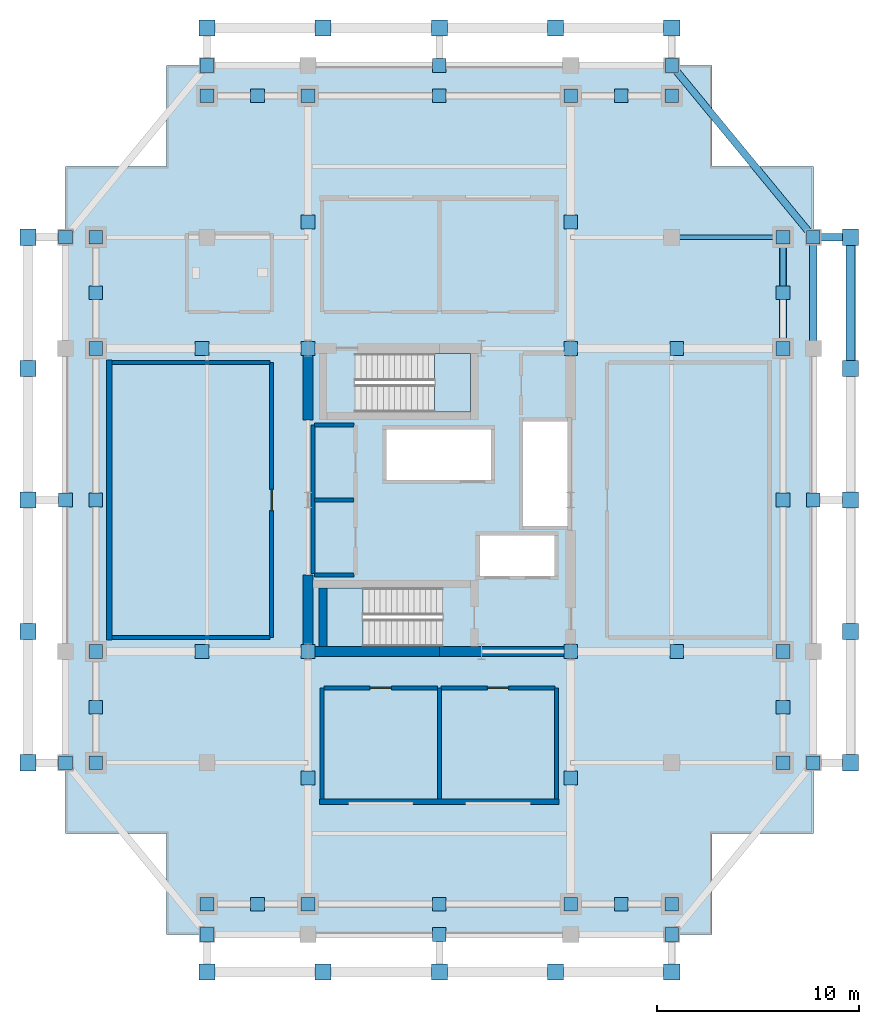
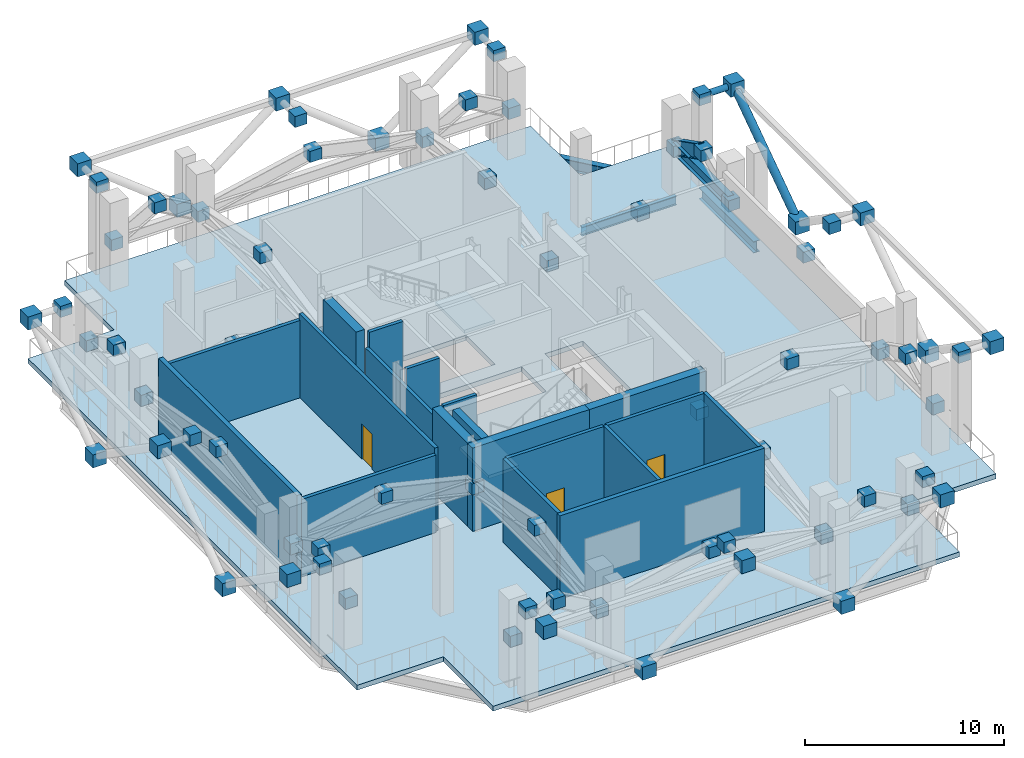
# One storey, part 3 of 9: 72 plates, 19 walls, 4 members, 3 beams, 3 doors, 3 slabs, 3 openings, 2 elements without a shape of their own.
"""IFC4 building model written with IfcOpenShell, lengths in metres."""

from ifc_helpers import new_model, si_unit, direction, frame, frame_2d, origin, origin_2d, place, context, subcontext, project, spatial, polyline, rectangle, hollow_circle, i_section, outline, extrude, material, layer, layer_set, material_profile, profile_set, type_object, element, fill, aggregate, save


model = new_model("IFC4")

# Units and contexts
model_context = context("Model", 3, precision=1e-05, world=origin(), true_north=direction((0.0, 1.0)))
body_context = subcontext(model_context, "Body", "Model", "MODEL_VIEW")
ifc_project = project(units=[si_unit("LENGTHUNIT", "METRE"), si_unit("AREAUNIT", "SQUARE_METRE"), si_unit("VOLUMEUNIT", "CUBIC_METRE"), si_unit("PLANEANGLEUNIT", "RADIAN"), si_unit("MASSUNIT", "GRAM", prefix="KILO")], contexts=[model_context])

# Site, building, storey
site_placement = place(None, origin())
site = spatial("IfcSite", under=ifc_project, at=site_placement, CompositionType="ELEMENT")
building_placement = place(site_placement, origin())
building = spatial("IfcBuilding", under=site, at=building_placement, Name="Barlavira Tower and Art Museum", CompositionType="ELEMENT")
storey_placement = place(building_placement, frame((0.0, 0.0, 212.39990234375)))
storey = spatial("IfcBuildingStorey", under=building, at=storey_placement, Name="L55", CompositionType="ELEMENT", Elevation=212.39990234375)

# Members
ifc_material_1 = material(Name="Steel S355", Category="steel")
ifc_material_profile_1 = material_profile(ifc_material_1, i_section(OverallWidth=0.35595703125, OverallDepth=0.695068359375, WebThickness=0.014892578125, FlangeThickness=0.023681640625, at=origin_2d()), Name="W690x192.0")
ifc_profile_set_1 = profile_set([ifc_material_profile_1], Name="Steel S355")
member_type_1 = type_object("IfcMemberType", Name="Belt Truss Chord Member W690x192 Steel S355", PredefinedType="CHORD", material=ifc_profile_set_1)
member_1_placement = place(storey_placement, frame((17.0, 7.5, 2.650146484375), z_axis=(0.0, 1.0, 0.0), x_axis=(-1.0, 0.0, 0.0)))
element("IfcMember", 1, at=member_1_placement, inside=storey, type_object=member_type_1, Name="L55 Belt Truss Bottom Chord BE3", PredefinedType="CHORD", context=body_context, shape_type="SweptSolid", body=[
    extrude(i_section(OverallWidth=0.35595703125, OverallDepth=0.695068359375, WebThickness=0.014892578125, FlangeThickness=0.023681640625, at=origin_2d()), origin(), (0.0, 0.0, 1.0), 5.5),
])
ifc_material_profile_2 = material_profile(ifc_material_1, i_section(OverallWidth=0.2939453125, OverallDepth=0.85107421875, WebThickness=0.017333984375, FlangeThickness=0.0283203125, at=origin_2d()), Name="W840x251.0")
ifc_profile_set_2 = profile_set([ifc_material_profile_2], Name="Steel S355")
member_type_2 = type_object("IfcMemberType", Name="Belt Truss Diagonal Brace W840x251 Steel S355", PredefinedType="BRACE", material=ifc_profile_set_2)
member_2_placement = place(storey_placement, frame((17.0, 10.25, 4.050048828125), z_axis=(0.0, 0.891175910254, -0.453657907439), x_axis=(-1.0, 0.0, 0.0)))
element("IfcMember", 2, at=member_2_placement, inside=storey, type_object=member_type_2, Name="L55 Belt Truss Diagonal BE3-2", PredefinedType="BRACE", context=body_context, shape_type="SweptSolid", body=[
    extrude(i_section(OverallWidth=0.2939453125, OverallDepth=0.85107421875, WebThickness=0.017333984375, FlangeThickness=0.0283203125, at=origin_2d()), origin(), (0.0, 0.0, 1.0), 3.085693359375),
])
ifc_material_profile_3 = material_profile(ifc_material_1, hollow_circle(Radius=0.228515625, WallThickness=0.02001953125, at=origin_2d()), Name="CHS 457.0x20.0")
ifc_profile_set_3 = profile_set([ifc_material_profile_3], Name="Steel S355")
member_type_3 = type_object("IfcMemberType", Name="Pale-Metal Exoskeleton Diagrid Tube CHS 457x20 Steel S355", PredefinedType="BRACE", material=ifc_profile_set_3)
member_3_placement = place(storey_placement, frame((20.35009765625, 6.5, 0.780029296875), z_axis=(0.0, 0.822192191644, 0.56920997883), x_axis=(-1.0, 0.0, 0.0)))
element("IfcMember", 3, at=member_3_placement, inside=storey, type_object=member_type_3, Name="L55 Exoskeleton Diagrid Tube E", PredefinedType="BRACE", context=body_context, shape_type="SweptSolid", body=[
    extrude(hollow_circle(Radius=0.228515625, WallThickness=0.02001953125, at=origin_2d()), origin(), (0.0, 0.0, 1.0), 7.90576171875),
])
ifc_material_profile_4 = material_profile(ifc_material_1, hollow_circle(Radius=0.177734375, WallThickness=0.01611328125, at=origin_2d()), Name="CHS 355.6x16.0")
ifc_profile_set_4 = profile_set([ifc_material_profile_4], Name="Steel S355")
member_type_4 = type_object("IfcMemberType", Name="Pale-Metal Exoskeleton Tie Strut CHS 356x16 Steel S355", PredefinedType="STRUT", material=ifc_profile_set_4)
member_4_placement = place(storey_placement, frame((20.35009765625, 13.0, 5.280029296875), z_axis=(-1.0, 0.0, 0.0), x_axis=(0.0, -1.0, 0.0)))
element("IfcMember", 4, at=member_4_placement, inside=storey, type_object=member_type_4, Name="L55 Exoskeleton Top Tie Strut E3", PredefinedType="STRUT", context=body_context, shape_type="SweptSolid", body=[
    extrude(hollow_circle(Radius=0.177734375, WallThickness=0.01611328125, at=origin_2d()), origin(), (0.0, 0.0, 1.0), 1.85009765625),
])

# Beams
ifc_material_profile_5 = material_profile(ifc_material_1, i_section(OverallWidth=0.35595703125, OverallDepth=0.695068359375, WebThickness=0.014892578125, FlangeThickness=0.023681640625, at=origin_2d()), Name="W690x192.0")
ifc_profile_set_5 = profile_set([ifc_material_profile_5], Name="Steel S355")
beam_type_1 = type_object("IfcBeamType", Name="Wind Floor Perimeter Edge Spandrel W690x192 Steel S355", PredefinedType="SPANDREL", material=ifc_profile_set_5)
beam_1_placement = place(storey_placement, frame((18.5, 7.5, -0.6474609375), z_axis=(0.0, 1.0, 0.0), x_axis=(-1.0, 0.0, 0.0)))
element("IfcBeam", 5, at=beam_1_placement, inside=storey, type_object=beam_type_1, Name="L55 Spandrel 7", PredefinedType="SPANDREL", context=body_context, shape_type="SweptSolid", body=[
    extrude(i_section(OverallWidth=0.35595703125, OverallDepth=0.695068359375, WebThickness=0.014892578125, FlangeThickness=0.023681640625, at=origin_2d()), origin(), (0.0, 0.0, 1.0), 5.5),
])
beam_2_placement = place(storey_placement, frame((18.5, 13.0, -0.6474609375), z_axis=(-0.635707252861, 0.771930235617, 0.0), x_axis=(-0.771930235617, -0.635707252861, 0.0)))
element("IfcBeam", 6, at=beam_2_placement, inside=storey, type_object=beam_type_1, Name="L55 Spandrel 8", PredefinedType="SPANDREL", context=body_context, shape_type="SweptSolid", body=[
    extrude(i_section(OverallWidth=0.35595703125, OverallDepth=0.695068359375, WebThickness=0.014892578125, FlangeThickness=0.023681640625, at=origin_2d()), origin(), (0.0, 0.0, 1.0), 11.011474609375),
])
ifc_material_profile_6 = material_profile(ifc_material_1, i_section(OverallWidth=0.2109375, OverallDepth=0.5390625, WebThickness=0.01171875, FlangeThickness=0.018798828125, at=origin_2d()), Name="W530x109.0")
ifc_profile_set_6 = profile_set([ifc_material_profile_6], Name="Steel S355")
beam_type_2 = type_object("IfcBeamType", Name="Zone 3-4 Primary Floor Girder W530x109 Steel S355", PredefinedType="BEAM", material=ifc_profile_set_6)
beam_3_placement = place(storey_placement, frame((11.5, 13.0, -0.5693359375), z_axis=(1.0, 0.0, 0.0), x_axis=(0.0, 1.0, 0.0)))
element("IfcBeam", 7, at=beam_3_placement, inside=storey, type_object=beam_type_2, Name="L55 Girder I-N4", PredefinedType="BEAM", context=body_context, shape_type="SweptSolid", body=[
    extrude(i_section(OverallWidth=0.2109375, OverallDepth=0.5390625, WebThickness=0.01171875, FlangeThickness=0.018798828125, at=origin_2d()), origin(), (0.0, 0.0, 1.0), 5.5),
])

# Plates
ifc_layer_1 = layer(ifc_material_1, 0.800048828125, Name="Steel S355")
ifc_layer_set_1 = layer_set([ifc_layer_1], Name="Steel S355")
plate_type_1 = type_object("IfcPlateType", Name="Exoskeleton Solid Steel Node Cap Plate Assembly Type 3 Steel S355", PredefinedType="USERDEFINED", material=ifc_layer_set_1)
for number, where, z_axis, x_axis, name in (
    (8, (-11.5, -23.35009765625, 4.8798828125), (0.0, 0.0, 1.0), (1.0, 0.0, 0.0), "Exoskeleton Node S ND-L55-0581"),
    (9, (0.0, -23.35009765625, 4.8798828125), (0.0, 0.0, 1.0), (1.0, 0.0, 0.0), "Exoskeleton Node S ND-L55-0582"),
    (10, (11.5, -23.35009765625, 4.8798828125), (0.0, 0.0, 1.0), (1.0, 0.0, 0.0), "Exoskeleton Node S ND-L55-0583"),
    (11, (-5.75, -23.35009765625, 0.3798828125), (0.0, 0.0, 1.0), (1.0, 0.0, 0.0), "Exoskeleton Diamond Node S1 ND-L55-0584"),
    (12, (5.75, -23.35009765625, 0.3798828125), (0.0, 0.0, 1.0), (1.0, 0.0, 0.0), "Exoskeleton Diamond Node S2 ND-L55-0585"),
    (13, (-11.5, 23.35009765625, 4.8798828125), (0.0, 0.0, 1.0), (1.0, 0.0, 0.0), "Exoskeleton Node N ND-L55-0592"),
    (14, (0.0, 23.35009765625, 4.8798828125), (0.0, 0.0, 1.0), (1.0, 0.0, 0.0), "Exoskeleton Node N ND-L55-0593"),
    (15, (11.5, 23.35009765625, 4.8798828125), (0.0, 0.0, 1.0), (1.0, 0.0, 0.0), "Exoskeleton Node N ND-L55-0594"),
    (16, (-5.75, 23.35009765625, 0.3798828125), (0.0, 0.0, 1.0), (1.0, 0.0, 0.0), "Exoskeleton Diamond Node N1 ND-L55-0595"),
    (17, (5.75, 23.35009765625, 0.3798828125), (0.0, 0.0, 1.0), (1.0, 0.0, 0.0), "Exoskeleton Diamond Node N2 ND-L55-0596"),
    (18, (-20.35009765625, -13.0, 4.8798828125), (0.0, 0.0, 1.0), (1.0, 0.0, 0.0), "Exoskeleton Node W ND-L55-0603"),
    (19, (-20.35009765625, 0.0, 4.8798828125), (0.0, 0.0, 1.0), (1.0, 0.0, 0.0), "Exoskeleton Node W ND-L55-0604"),
    (20, (-20.35009765625, 13.0, 4.8798828125), (0.0, 0.0, 1.0), (1.0, 0.0, 0.0), "Exoskeleton Node W ND-L55-0605"),
    (21, (-20.35009765625, -6.5, 0.3798828125), (0.0, 0.0, 1.0), (1.0, 0.0, 0.0), "Exoskeleton Diamond Node W1 ND-L55-0606"),
    (22, (-20.35009765625, 6.5, 0.3798828125), (0.0, 0.0, 1.0), (1.0, 0.0, 0.0), "Exoskeleton Diamond Node W2 ND-L55-0607"),
    (23, (20.35009765625, -13.0, 4.8798828125), (0.0, 0.0, 1.0), (1.0, 0.0, 0.0), "Exoskeleton Node E ND-L55-0614"),
    (24, (20.35009765625, 0.0, 4.8798828125), (0.0, 0.0, 1.0), (1.0, 0.0, 0.0), "Exoskeleton Node E ND-L55-0615"),
    (25, (20.35009765625, 13.0, 4.8798828125), (0.0, 0.0, 1.0), (1.0, 0.0, 0.0), "Exoskeleton Node E ND-L55-0616"),
    (26, (20.35009765625, -6.5, 0.3798828125), (0.0, 0.0, 1.0), (1.0, 0.0, 0.0), "Exoskeleton Diamond Node E1 ND-L55-0617"),
    (27, (20.35009765625, 6.5, 0.3798828125), (0.0, 0.0, 1.0), (1.0, 0.0, 0.0), "Exoskeleton Diamond Node E2 ND-L55-0618"),
):
    element("IfcPlate", number, at=place(storey_placement, frame(where, z_axis=z_axis, x_axis=x_axis)), inside=storey, type_object=plate_type_1, Name=name, ObjectType="FLANGE_PLATE", PredefinedType="USERDEFINED", context=body_context, shape_type="SweptSolid", body=[
        extrude(rectangle(XDim=0.800048828125, YDim=0.800048828125, at=origin_2d()), origin(), (0.0, 0.0, 1.0), 0.800048828125),
    ])
ifc_layer_2 = layer(ifc_material_1, 0.679931640625, Name="Steel S355")
ifc_layer_set_2 = layer_set([ifc_layer_2], Name="Steel S355")
plate_type_2 = type_object("IfcPlateType", Name="Exoskeleton Tie-Back Solid Cap Plate Assembly Type 5 Steel S355", PredefinedType="USERDEFINED", material=ifc_layer_set_2)
for number, where, z_axis, x_axis, name in (
    (28, (-6.5, -7.5, 2.31005859375), (0.0, 0.0, 1.0), (1.0, 0.0, 0.0), "L55 Outrigger WS Gusset Plate 21"),
    (29, (-17.0, -7.5, 2.31005859375), (0.0, 0.0, 1.0), (1.0, 0.0, 0.0), "L55 Outrigger WS Gusset Plate 22"),
    (30, (-11.75, -7.5, 3.56005859375), (0.0, 0.0, 1.0), (1.0, 0.0, 0.0), "L55 Outrigger WS Gusset Plate 23"),
    (31, (-6.5, 7.5, 2.31005859375), (0.0, 0.0, 1.0), (1.0, 0.0, 0.0), "L55 Outrigger WN Gusset Plate 24"),
    (32, (-17.0, 7.5, 2.31005859375), (0.0, 0.0, 1.0), (1.0, 0.0, 0.0), "L55 Outrigger WN Gusset Plate 25"),
    (33, (-11.75, 7.5, 3.56005859375), (0.0, 0.0, 1.0), (1.0, 0.0, 0.0), "L55 Outrigger WN Gusset Plate 26"),
    (34, (6.5, -7.5, 2.31005859375), (0.0, 0.0, 1.0), (1.0, 0.0, 0.0), "L55 Outrigger ES Gusset Plate 27"),
    (35, (17.0, -7.5, 2.31005859375), (0.0, 0.0, 1.0), (1.0, 0.0, 0.0), "L55 Outrigger ES Gusset Plate 28"),
    (36, (11.75, -7.5, 3.56005859375), (0.0, 0.0, 1.0), (1.0, 0.0, 0.0), "L55 Outrigger ES Gusset Plate 29"),
    (37, (6.5, 7.5, 2.31005859375), (0.0, 0.0, 1.0), (1.0, 0.0, 0.0), "L55 Outrigger EN Gusset Plate 30"),
    (38, (17.0, 7.5, 2.31005859375), (0.0, 0.0, 1.0), (1.0, 0.0, 0.0), "L55 Outrigger EN Gusset Plate 31"),
    (39, (11.75, 7.5, 3.56005859375), (0.0, 0.0, 1.0), (1.0, 0.0, 0.0), "L55 Outrigger EN Gusset Plate 32"),
    (40, (-6.5, -20.0, 2.31005859375), (0.0, 0.0, 1.0), (1.0, 0.0, 0.0), "L55 Outrigger SW Gusset Plate 33"),
    (41, (-6.5, -13.75, 3.56005859375), (0.0, 0.0, 1.0), (1.0, 0.0, 0.0), "L55 Outrigger SW Gusset Plate 34"),
    (42, (6.5, -20.0, 2.31005859375), (0.0, 0.0, 1.0), (1.0, 0.0, 0.0), "L55 Outrigger SE Gusset Plate 35"),
    (43, (6.5, -13.75, 3.56005859375), (0.0, 0.0, 1.0), (1.0, 0.0, 0.0), "L55 Outrigger SE Gusset Plate 36"),
    (44, (-6.5, 20.0, 2.31005859375), (0.0, 0.0, 1.0), (1.0, 0.0, 0.0), "L55 Outrigger NW Gusset Plate 37"),
    (45, (-6.5, 13.75, 3.56005859375), (0.0, 0.0, 1.0), (1.0, 0.0, 0.0), "L55 Outrigger NW Gusset Plate 38"),
    (46, (6.5, 20.0, 2.31005859375), (0.0, 0.0, 1.0), (1.0, 0.0, 0.0), "L55 Outrigger NE Gusset Plate 39"),
    (47, (6.5, 13.75, 3.56005859375), (0.0, 0.0, 1.0), (1.0, 0.0, 0.0), "L55 Outrigger NE Gusset Plate 40"),
    (48, (-11.5, -20.0, 2.31005859375), (0.0, 0.0, 1.0), (1.0, 0.0, 0.0), "L55 Belt Truss BS1 Gusset Plate 89"),
    (49, (-9.0, -20.0, 3.7099609375), (0.0, 0.0, 1.0), (1.0, 0.0, 0.0), "L55 Belt Truss BS1 Gusset Plate 90"),
    (50, (0.0, -20.0, 3.7099609375), (0.0, 0.0, 1.0), (1.0, 0.0, 0.0), "L55 Belt Truss BS2 Gusset Plate 91"),
    (51, (11.5, -20.0, 2.31005859375), (0.0, 0.0, 1.0), (1.0, 0.0, 0.0), "L55 Belt Truss BS3 Gusset Plate 92"),
    (52, (9.0, -20.0, 3.7099609375), (0.0, 0.0, 1.0), (1.0, 0.0, 0.0), "L55 Belt Truss BS3 Gusset Plate 93"),
    (53, (-11.5, 20.0, 2.31005859375), (0.0, 0.0, 1.0), (1.0, 0.0, 0.0), "L55 Belt Truss BN1 Gusset Plate 94"),
    (54, (-9.0, 20.0, 3.7099609375), (0.0, 0.0, 1.0), (1.0, 0.0, 0.0), "L55 Belt Truss BN1 Gusset Plate 95"),
    (55, (0.0, 20.0, 3.7099609375), (0.0, 0.0, 1.0), (1.0, 0.0, 0.0), "L55 Belt Truss BN2 Gusset Plate 96"),
    (56, (11.5, 20.0, 2.31005859375), (0.0, 0.0, 1.0), (1.0, 0.0, 0.0), "L55 Belt Truss BN3 Gusset Plate 97"),
    (57, (9.0, 20.0, 3.7099609375), (0.0, 0.0, 1.0), (1.0, 0.0, 0.0), "L55 Belt Truss BN3 Gusset Plate 98"),
    (58, (-17.0, -13.0, 2.31005859375), (0.0, 0.0, 1.0), (1.0, 0.0, 0.0), "L55 Belt Truss BW1 Gusset Plate 99"),
    (59, (-17.0, -10.25, 3.7099609375), (0.0, 0.0, 1.0), (1.0, 0.0, 0.0), "L55 Belt Truss BW1 Gusset Plate 100"),
    (60, (-17.0, 0.0, 3.7099609375), (0.0, 0.0, 1.0), (1.0, 0.0, 0.0), "L55 Belt Truss BW2 Gusset Plate 101"),
    (61, (-17.0, 13.0, 2.31005859375), (0.0, 0.0, 1.0), (1.0, 0.0, 0.0), "L55 Belt Truss BW3 Gusset Plate 102"),
    (62, (-17.0, 10.25, 3.7099609375), (0.0, 0.0, 1.0), (1.0, 0.0, 0.0), "L55 Belt Truss BW3 Gusset Plate 103"),
    (63, (17.0, -13.0, 2.31005859375), (0.0, 0.0, 1.0), (1.0, 0.0, 0.0), "L55 Belt Truss BE1 Gusset Plate 104"),
    (64, (17.0, -10.25, 3.7099609375), (0.0, 0.0, 1.0), (1.0, 0.0, 0.0), "L55 Belt Truss BE1 Gusset Plate 105"),
    (65, (17.0, 0.0, 3.7099609375), (0.0, 0.0, 1.0), (1.0, 0.0, 0.0), "L55 Belt Truss BE2 Gusset Plate 106"),
    (66, (17.0, 13.0, 2.31005859375), (0.0, 0.0, 1.0), (1.0, 0.0, 0.0), "L55 Belt Truss BE3 Gusset Plate 107"),
    (67, (17.0, 10.25, 3.7099609375), (0.0, 0.0, 1.0), (1.0, 0.0, 0.0), "L55 Belt Truss BE3 Gusset Plate 108"),
    (68, (-11.5, -21.5, 4.93994140625), (0.0, 0.0, 1.0), (1.0, 0.0, 0.0), "Top Slab Tie Cap Plate S1 ND-L55-0589"),
    (69, (0.0, -21.5, 4.93994140625), (0.0, 0.0, 1.0), (1.0, 0.0, 0.0), "Top Slab Tie Cap Plate S2 ND-L55-0590"),
    (70, (11.5, -21.5, 4.93994140625), (0.0, 0.0, 1.0), (1.0, 0.0, 0.0), "Top Slab Tie Cap Plate S3 ND-L55-0591"),
    (71, (-11.5, 21.5, 4.93994140625), (0.0, 0.0, 1.0), (1.0, 0.0, 0.0), "Top Slab Tie Cap Plate N1 ND-L55-0600"),
    (72, (0.0, 21.5, 4.93994140625), (0.0, 0.0, 1.0), (1.0, 0.0, 0.0), "Top Slab Tie Cap Plate N2 ND-L55-0601"),
    (73, (11.5, 21.5, 4.93994140625), (0.0, 0.0, 1.0), (1.0, 0.0, 0.0), "Top Slab Tie Cap Plate N3 ND-L55-0602"),
    (74, (-18.5, -13.0, 4.93994140625), (0.0, 0.0, 1.0), (1.0, 0.0, 0.0), "Top Slab Tie Cap Plate W1 ND-L55-0611"),
    (75, (-18.5, 0.0, 4.93994140625), (0.0, 0.0, 1.0), (1.0, 0.0, 0.0), "Top Slab Tie Cap Plate W2 ND-L55-0612"),
    (76, (-18.5, 13.0, 4.93994140625), (0.0, 0.0, 1.0), (1.0, 0.0, 0.0), "Top Slab Tie Cap Plate W3 ND-L55-0613"),
    (77, (18.5, -13.0, 4.93994140625), (0.0, 0.0, 1.0), (1.0, 0.0, 0.0), "Top Slab Tie Cap Plate E1 ND-L55-0622"),
    (78, (18.5, 0.0, 4.93994140625), (0.0, 0.0, 1.0), (1.0, 0.0, 0.0), "Top Slab Tie Cap Plate E2 ND-L55-0623"),
    (79, (18.5, 13.0, 4.93994140625), (0.0, 0.0, 1.0), (1.0, 0.0, 0.0), "Top Slab Tie Cap Plate E3 ND-L55-0624"),
):
    element("IfcPlate", number, at=place(storey_placement, frame(where, z_axis=z_axis, x_axis=x_axis)), inside=storey, type_object=plate_type_2, Name=name, ObjectType="FLANGE_PLATE", PredefinedType="USERDEFINED", context=body_context, shape_type="SweptSolid", body=[
        extrude(rectangle(XDim=0.679931640625, YDim=0.679931640625, at=origin_2d()), origin(), (0.0, 0.0, 1.0), 0.679931640625),
    ])

# Slab
ifc_material_2 = material(Name="Concrete C55", Category="concrete")
ifc_layer_3 = layer(ifc_material_2, 0.300048828125, Name="Concrete C55")
ifc_layer_set_3 = layer_set([ifc_layer_3], Name="Concrete C55")
slab_type_1 = type_object("IfcSlabType", Name="Sky-Lobby and Wind-Refuge Heavy Slab 300 Concrete C55", PredefinedType="FLOOR", material=ifc_layer_set_3)
slab_1_placement = place(storey_placement, frame((0.0, 0.0, -0.2998046875)))
element("IfcSlab", 80, at=slab_1_placement, inside=storey, type_object=slab_type_1, Name="L55 Tower Floor Slab", PredefinedType="FLOOR", context=body_context, shape_type="SweptSolid", body=[
    extrude(outline(polyline([(-13.5, -21.5), (13.5, -21.5), (13.5, -16.5), (18.5, -16.5), (18.5, 16.5), (13.5, 16.5), (13.5, 21.5), (-13.5, 21.5), (-13.5, 16.5), (-18.5, 16.5), (-18.5, -16.5), (-13.5, -16.5), (-13.5, -21.5)]), holes=[polyline([(0.14990234375, -4.35009765625), (-5.550048828125, -4.35009765625), (-5.550048828125, -7.25), (0.14990234375, -7.25), (0.14990234375, -4.35009765625)]), polyline([(-4.169921875, 4.35009765625), (1.530029296875, 4.35009765625), (1.530029296875, 7.25), (-4.169921875, 7.25), (-4.169921875, 4.35009765625)]), polyline([(4.14990234375, -1.2900390625), (6.35009765625, -1.2900390625), (6.35009765625, 3.889892578125), (4.14990234375, 3.889892578125), (4.14990234375, -1.2900390625)]), polyline([(-2.6201171875, 1.0), (2.56005859375, 1.0), (2.56005859375, 3.5), (-2.6201171875, 3.5), (-2.6201171875, 1.0)]), polyline([(2.0, -3.75), (5.699951171875, -3.75), (5.699951171875, -1.75), (2.0, -1.75), (2.0, -3.75)])]), origin(), (0.0, 0.0, 1.0), 0.2998046875),
])

# Stair, slab
ifc_material_3 = material(Name="Concrete C45", Category="concrete")
stair_type_1 = type_object("IfcStairType", Name="Tower North Dog-Leg Exit Stair Assembly Concrete C45", PredefinedType="TWO_QUARTER_TURN_STAIR", material=ifc_material_3)
stair_1_placement = place(storey_placement, origin())
stair_1 = element("IfcStair", 81, at=stair_1_placement, inside=storey, type_object=stair_type_1, Name="L55 Tower North Exit Stair ST-T2", PredefinedType="TWO_QUARTER_TURN_STAIR")
ifc_layer_4 = layer(ifc_material_3, 0.199951171875, Name="Concrete C45")
ifc_layer_set_4 = layer_set([ifc_layer_4], Name="Concrete C45")
slab_type_2 = type_object("IfcSlabType", Name="Tower North Dog-Leg Exit Stair Half-Landing Slab 200 Concrete C45", PredefinedType="LANDING", material=ifc_layer_set_4)
slab_2_placement = place(storey_placement, frame((0.0, 0.0, 2.5)))
slab_2 = element("IfcSlab", 82, at=slab_2_placement, type_object=slab_type_2, Name="ST-T2 landing 1", PredefinedType="LANDING", context=body_context, shape_type="SweptSolid", body=[
    extrude(outline(polyline([(-0.25, 4.35009765625), (1.530029296875, 4.35009765625), (1.530029296875, 7.25), (-0.25, 7.25), (-0.25, 4.35009765625)])), origin(), (0.0, 0.0, 1.0), 0.2001953125),
])
aggregate(stair_1, [slab_2])

stair_type_2 = type_object("IfcStairType", Name="Tower South Dog-Leg Exit Stair Assembly Concrete C45", PredefinedType="TWO_QUARTER_TURN_STAIR", material=ifc_material_3)
stair_2_placement = place(storey_placement, origin())
stair_2 = element("IfcStair", 83, at=stair_2_placement, inside=storey, type_object=stair_type_2, Name="L55 Tower South Exit Stair ST-T1", PredefinedType="TWO_QUARTER_TURN_STAIR")
ifc_layer_5 = layer(ifc_material_3, 0.199951171875, Name="Concrete C45")
ifc_layer_set_5 = layer_set([ifc_layer_5], Name="Concrete C45")
slab_type_3 = type_object("IfcSlabType", Name="Tower South Dog-Leg Exit Stair Half-Landing Slab 200 Concrete C45", PredefinedType="LANDING", material=ifc_layer_set_5)
slab_3_placement = place(storey_placement, frame((0.0, 0.0, 2.5)))
slab_3 = element("IfcSlab", 84, at=slab_3_placement, type_object=slab_type_3, Name="ST-T1 landing 1", PredefinedType="LANDING", context=body_context, shape_type="SweptSolid", body=[
    extrude(outline(polyline([(-3.77001953125, -4.35009765625), (-5.550048828125, -4.35009765625), (-5.550048828125, -7.25), (-3.77001953125, -7.25), (-3.77001953125, -4.35009765625)])), origin(), (0.0, 0.0, 1.0), 0.2001953125),
])
aggregate(stair_2, [slab_3])

# Walls
ifc_material_4 = material(Name="Concrete C60", Category="concrete")
ifc_layer_6 = layer(ifc_material_4, 0.5, Name="Concrete C60")
ifc_layer_set_6 = layer_set([ifc_layer_6], Name="Concrete C60")
wall_type_1 = type_object("IfcWallType", Name="Core Structural Shear Wall 500 Concrete C60", PredefinedType="SHEAR", material=ifc_layer_set_6)
for number, where, z_axis, x_axis, name in (
    (85, (-6.75, -7.5, 0.0), (0.0, 0.0, 1.0), (1.0, 0.0, 0.0), "L55 Core Shear Wall CS-SW"),
    (86, (0.0, -7.5, 0.0), (0.0, 0.0, 1.0), (1.0, 0.0, 0.0), "L55 Core Shear Wall CS-SE"),
):
    element("IfcWall", number, at=place(storey_placement, frame(where, z_axis=z_axis, x_axis=x_axis)), inside=storey, type_object=wall_type_1, Name=name, PredefinedType="SHEAR", context=body_context, shape_type="SweptSolid", body=[
        extrude(rectangle(XDim=6.75, YDim=0.5, at=frame_2d((3.375, 0.0))), origin(), (0.0, 0.0, 1.0), 5.10009765625),
    ])
wall_1_placement = place(storey_placement, frame((-6.5, -7.25, 0.0), z_axis=(0.0, 0.0, 1.0), x_axis=(0.0, 1.0, 0.0)))
element("IfcWall", 87, at=wall_1_placement, inside=storey, type_object=wall_type_1, Name="L55 Core Shear Wall CS-W1", PredefinedType="SHEAR", context=body_context, shape_type="SweptSolid", body=[
    extrude(rectangle(XDim=3.550048828125, YDim=0.5, at=frame_2d((1.77490234375, 0.0))), origin(), (0.0, 0.0, 1.0), 5.10009765625),
])
wall_2_placement = place(storey_placement, frame((-6.5, 3.949951171875, 0.0), z_axis=(0.0, 0.0, 1.0), x_axis=(0.0, 1.0, 0.0)))
element("IfcWall", 88, at=wall_2_placement, inside=storey, type_object=wall_type_1, Name="L55 Core Shear Wall CS-W2", PredefinedType="SHEAR", context=body_context, shape_type="SweptSolid", body=[
    extrude(rectangle(XDim=3.300048828125, YDim=0.5, at=frame_2d((1.64990234375, 0.0))), origin(), (0.0, 0.0, 1.0), 5.10009765625),
])
ifc_material_5 = material(Name="Precast concrete C40", Category="concrete")
ifc_layer_7 = layer(ifc_material_5, 0.260009765625, Name="Precast concrete C40")
ifc_layer_set_7 = layer_set([ifc_layer_7], Name="Precast concrete C40")
wall_type_2 = type_object("IfcWallType", Name="Crown Acoustic Plant Enclosure Wall 260 Precast Concrete C40", PredefinedType="SOLIDWALL", material=ifc_layer_set_7)
wall_3_placement = place(storey_placement, frame((-16.330078125, -6.929931640625, 0.0), z_axis=(0.0, 0.0, 1.0), x_axis=(0.0, 1.0, 0.0)))
element("IfcWall", 89, at=wall_3_placement, inside=storey, type_object=wall_type_2, Name="L55 Wind-Floor Plant/Refuge Wall W", PredefinedType="SOLIDWALL", context=body_context, shape_type="SweptSolid", body=[
    extrude(rectangle(XDim=13.85986328125, YDim=0.260009765625, at=frame_2d((6.929931640625, 0.0))), origin(), (0.0, 0.0, 1.0), 5.10009765625),
])
wall_4_placement = place(storey_placement, frame((-5.929931640625, -14.929931640625, 0.0), z_axis=(0.0, 0.0, 1.0), x_axis=(1.0, 0.0, 0.0)))
element("IfcWall", 90, at=wall_4_placement, inside=storey, type_object=wall_type_2, Name="L55 Wind-Floor Plant/Refuge Wall S", PredefinedType="SOLIDWALL", context=body_context, shape_type="SweptSolid", body=[
    extrude(rectangle(XDim=11.85986328125, YDim=0.260009765625, at=frame_2d((5.929931640625, 0.0))), origin(), (0.0, 0.0, 1.0), 5.10009765625),
])

# Wall, opening, door
ifc_material_6 = material(Name="Autoclaved aerated concrete masonry", Category="masonry")
ifc_layer_8 = layer(ifc_material_6, 0.199951171875, Name="Autoclaved aerated concrete masonry")
ifc_layer_set_8 = layer_set([ifc_layer_8], Name="Autoclaved aerated concrete masonry")
wall_type_3 = type_object("IfcWallType", Name="Fire Compartment and Shaft Wall 200", PredefinedType="SOLIDWALL", material=ifc_layer_set_8)
wall_5_placement = place(storey_placement, frame((-8.300048828125, -6.800048828125, 0.0), z_axis=(0.0, 0.0, 1.0), x_axis=(0.0, 1.0, 0.0)))
wall_5 = element("IfcWall", 91, at=wall_5_placement, inside=storey, type_object=wall_type_3, Name="L55 Partition Wall 2", PredefinedType="SOLIDWALL", context=body_context, shape_type="SweptSolid", body=[
    extrude(rectangle(XDim=13.60009765625, YDim=0.199951171875, at=frame_2d((6.800048828125, 0.0))), origin(), (0.0, 0.0, 1.0), 5.10009765625),
])
opening_1_placement = place(wall_5_placement, frame((6.27490234375, 0.0, 0.0)))
opening_1 = element("IfcOpeningElement", 92, at=opening_1_placement, cuts=wall_5, Name="Opening FD-90", PredefinedType="OPENING", context=body_context, shape_type="SweptSolid", body=[
    extrude(rectangle(XDim=1.050048828125, YDim=2.14990234375, at=frame_2d((0.52490234375, 1.074951171875))), frame((0.0, 0.10986328125, 0.0), z_axis=(0.0, -1.0, 0.0), x_axis=(1.0, 0.0, 0.0)), (0.0, 0.0, 1.0), 0.219970703125),
])
ifc_material_7 = material(Name="Brushed stainless steel", Category="steel")
door_type = type_object("IfcDoorType", Name="Stair and Refuge Fire Door 1050x2150 FD90S", OperationType="NOTDEFINED", PredefinedType="DOOR", material=ifc_material_7)
door_1_placement = place(opening_1_placement, origin())
door_1 = element("IfcDoor", 93, at=door_1_placement, inside=storey, type_object=door_type, Name="L55 West Pressurised Sky Refuge Area Door", OperationType="SINGLE_SWING_RIGHT", OverallHeight=2.14990234375, OverallWidth=1.050048828125, PredefinedType="DOOR", context=body_context, shape_type="SweptSolid", body=[
    extrude(rectangle(XDim=1.050048828125, YDim=2.14990234375, at=frame_2d((0.52490234375, 1.074951171875))), frame((0.0, 0.02490234375, 0.0), z_axis=(0.0, -1.0, 0.0), x_axis=(1.0, 0.0, 0.0)), (0.0, 0.0, 1.0), 0.050048828125),
])
fill(opening_1, door_1)

# Walls
wall_6_placement = place(storey_placement, frame((-6.25, -3.639892578125, 0.0), z_axis=(0.0, 0.0, 1.0), x_axis=(0.0, 1.0, 0.0)))
element("IfcWall", 94, at=wall_6_placement, inside=storey, type_object=wall_type_3, Name="L55 Partition Wall 4", PredefinedType="SOLIDWALL", context=body_context, shape_type="SweptSolid", body=[
    extrude(rectangle(XDim=7.33984375, YDim=0.199951171875, at=frame_2d((3.669921875, 0.0))), origin(), (0.0, 0.0, 1.0), 4.153076171875),
])
for number, where, z_axis, x_axis, name in (
    (95, (-5.800048828125, -14.794921875, 0.0), (0.0, 0.0, 1.0), (0.0, 1.0, 0.0), "L55 Partition Wall 5"),
    (96, (0.0, -14.794921875, 0.0), (0.0, 0.0, 1.0), (0.0, 1.0, 0.0), "L55 Partition Wall 8"),
    (97, (5.800048828125, -14.794921875, 0.0), (0.0, 0.0, 1.0), (0.0, 1.0, 0.0), "L55 Partition Wall 11"),
):
    element("IfcWall", number, at=place(storey_placement, frame(where, z_axis=z_axis, x_axis=x_axis)), inside=storey, type_object=wall_type_3, Name=name, PredefinedType="SOLIDWALL", context=body_context, shape_type="SweptSolid", body=[
        extrude(rectangle(XDim=5.494873046875, YDim=0.199951171875, at=frame_2d((2.74755859375, 0.0))), origin(), (0.0, 0.0, 1.0), 5.10009765625),
    ])

# Wall, opening, door
wall_7_placement = place(storey_placement, frame((-5.719970703125, -9.300048828125, 0.0), z_axis=(0.0, 0.0, 1.0), x_axis=(1.0, 0.0, 0.0)))
wall_7 = element("IfcWall", 98, at=wall_7_placement, inside=storey, type_object=wall_type_3, Name="L55 Partition Wall 14", PredefinedType="SOLIDWALL", context=body_context, shape_type="SweptSolid", body=[
    extrude(rectangle(XDim=5.639892578125, YDim=0.199951171875, at=frame_2d((2.81982421875, 0.0))), origin(), (0.0, 0.0, 1.0), 5.10009765625),
])
opening_2_placement = place(wall_7_placement, frame((2.294921875, 0.0, 0.0)))
opening_2 = element("IfcOpeningElement", 99, at=opening_2_placement, cuts=wall_7, Name="Opening FD-90", PredefinedType="OPENING", context=body_context, shape_type="SweptSolid", body=[
    extrude(rectangle(XDim=1.050048828125, YDim=2.14990234375, at=frame_2d((0.52490234375, 1.074951171875))), frame((0.0, 0.10986328125, 0.0), z_axis=(0.0, -1.0, 0.0), x_axis=(1.0, 0.0, 0.0)), (0.0, 0.0, 1.0), 0.219970703125),
])
door_2_placement = place(opening_2_placement, origin())
door_2 = element("IfcDoor", 100, at=door_2_placement, inside=storey, type_object=door_type, Name="L55 Chiller and Heat-Rejection Plant Room Door", OperationType="SINGLE_SWING_RIGHT", OverallHeight=2.14990234375, OverallWidth=1.050048828125, PredefinedType="DOOR", context=body_context, shape_type="SweptSolid", body=[
    extrude(rectangle(XDim=1.050048828125, YDim=2.14990234375, at=frame_2d((0.52490234375, 1.074951171875))), frame((0.0, 0.02490234375, 0.0), z_axis=(0.0, -1.0, 0.0), x_axis=(1.0, 0.0, 0.0)), (0.0, 0.0, 1.0), 0.050048828125),
])
fill(opening_2, door_2)

wall_8_placement = place(storey_placement, frame((0.080078125, -9.300048828125, 0.0), z_axis=(0.0, 0.0, 1.0), x_axis=(1.0, 0.0, 0.0)))
wall_8 = element("IfcWall", 101, at=wall_8_placement, inside=storey, type_object=wall_type_3, Name="L55 Partition Wall 15", PredefinedType="SOLIDWALL", context=body_context, shape_type="SweptSolid", body=[
    extrude(rectangle(XDim=5.639892578125, YDim=0.199951171875, at=frame_2d((2.81982421875, 0.0))), origin(), (0.0, 0.0, 1.0), 5.10009765625),
])
opening_3_placement = place(wall_8_placement, frame((2.294921875, 0.0, 0.0)))
opening_3 = element("IfcOpeningElement", 102, at=opening_3_placement, cuts=wall_8, Name="Opening FD-90", PredefinedType="OPENING", context=body_context, shape_type="SweptSolid", body=[
    extrude(rectangle(XDim=1.050048828125, YDim=2.14990234375, at=frame_2d((0.52490234375, 1.074951171875))), frame((0.0, 0.10986328125, 0.0), z_axis=(0.0, -1.0, 0.0), x_axis=(1.0, 0.0, 0.0)), (0.0, 0.0, 1.0), 0.219970703125),
])
door_3_placement = place(opening_3_placement, origin())
door_3 = element("IfcDoor", 103, at=door_3_placement, inside=storey, type_object=door_type, Name="L55 Air Handling and Smoke Ventilation Plant Room Door", OperationType="SINGLE_SWING_LEFT", OverallHeight=2.14990234375, OverallWidth=1.050048828125, PredefinedType="DOOR", context=body_context, shape_type="SweptSolid", body=[
    extrude(rectangle(XDim=1.050048828125, YDim=2.14990234375, at=frame_2d((0.52490234375, 1.074951171875))), frame((0.0, 0.02490234375, 0.0), z_axis=(0.0, -1.0, 0.0), x_axis=(1.0, 0.0, 0.0)), (0.0, 0.0, 1.0), 0.050048828125),
])
fill(opening_3, door_3)

# Walls
wall_9_placement = place(storey_placement, frame((-16.195068359375, -6.800048828125, 0.0), z_axis=(0.0, 0.0, 1.0), x_axis=(1.0, 0.0, 0.0)))
element("IfcWall", 104, at=wall_9_placement, inside=storey, type_object=wall_type_3, Name="L55 Partition Wall 16", PredefinedType="SOLIDWALL", context=body_context, shape_type="SweptSolid", body=[
    extrude(rectangle(XDim=7.815185546875, YDim=0.199951171875, at=frame_2d((3.90771484375, 0.0))), origin(), (0.0, 0.0, 1.0), 4.738037109375),
])
for number, where, z_axis, x_axis, name in (
    (105, (-6.169921875, -3.699951171875, 0.0), (0.0, 0.0, 1.0), (1.0, 0.0, 0.0), "L55 Partition Wall 18"),
    (106, (-6.169921875, 0.0, 0.0), (0.0, 0.0, 1.0), (1.0, 0.0, 0.0), "L55 Partition Wall 19"),
    (107, (-6.169921875, 3.699951171875, 0.0), (0.0, 0.0, 1.0), (1.0, 0.0, 0.0), "L55 Partition Wall 20"),
):
    element("IfcWall", number, at=place(storey_placement, frame(where, z_axis=z_axis, x_axis=x_axis)), inside=storey, type_object=wall_type_3, Name=name, PredefinedType="SOLIDWALL", context=body_context, shape_type="SweptSolid", body=[
        extrude(rectangle(XDim=1.93994140625, YDim=0.199951171875, at=frame_2d((0.969970703125, 0.0))), origin(), (0.0, 0.0, 1.0), 5.10009765625),
    ])
wall_10_placement = place(storey_placement, frame((-16.195068359375, 6.800048828125, 0.0), z_axis=(0.0, 0.0, 1.0), x_axis=(1.0, 0.0, 0.0)))
element("IfcWall", 108, at=wall_10_placement, inside=storey, type_object=wall_type_3, Name="L55 Partition Wall 21", PredefinedType="SOLIDWALL", context=body_context, shape_type="SweptSolid", body=[
    extrude(rectangle(XDim=7.815185546875, YDim=0.199951171875, at=frame_2d((3.90771484375, 0.0))), origin(), (0.0, 0.0, 1.0), 4.738037109375),
])
ifc_layer_9 = layer(ifc_material_2, 0.39990234375, Name="Concrete C55")
ifc_layer_set_9 = layer_set([ifc_layer_9], Name="Concrete C55")
wall_type_4 = type_object("IfcWallType", Name="Upper Core Shear Wall 400 Concrete C55", PredefinedType="SHEAR", material=ifc_layer_set_9)
wall_11_placement = place(storey_placement, frame((-5.75, -7.25, 0.0), z_axis=(0.0, 0.0, 1.0), x_axis=(0.0, 1.0, 0.0)))
element("IfcWall", 109, at=wall_11_placement, inside=storey, type_object=wall_type_4, Name="L55 ST-T1 West Half-Landing Wall", PredefinedType="SHEAR", context=body_context, shape_type="SweptSolid", body=[
    extrude(rectangle(XDim=2.89990234375, YDim=0.39990234375, at=frame_2d((1.449951171875, 0.0))), origin(), (0.0, 0.0, 1.0), 5.10009765625),
])

save(model, "model.ifc")
